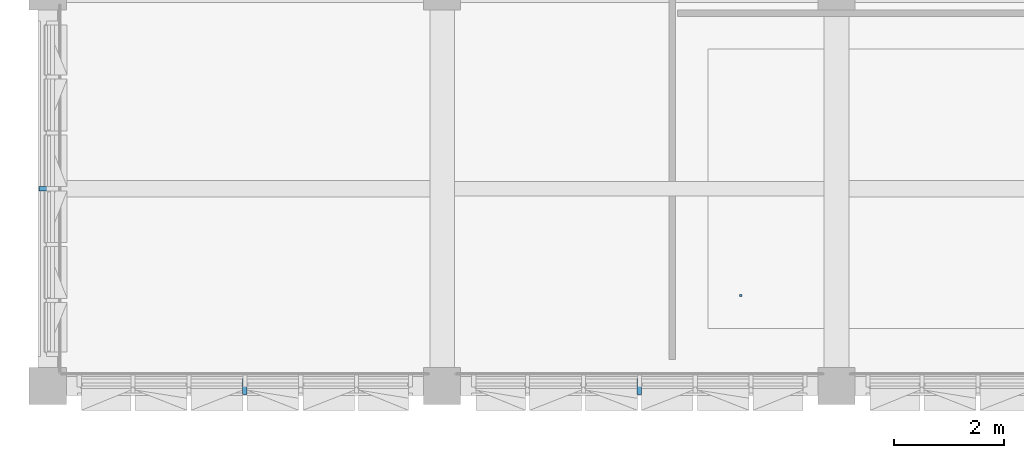
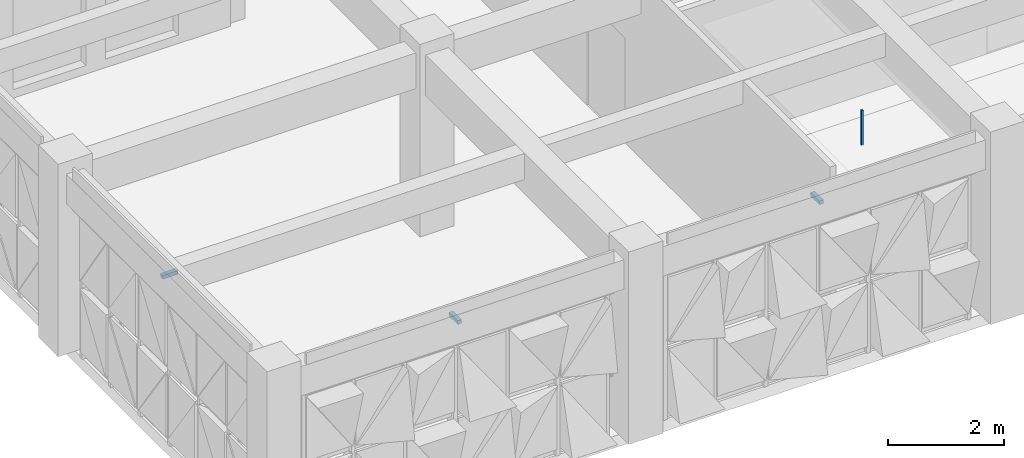
# One storey, part 55 of 88: 4 discrete accessories.
"""IFC4 building model written with IfcOpenShell, lengths in metres."""

from ifc_helpers import new_model, si_unit, direction, frame, origin, origin_2d, place, context, subcontext, project, spatial, rectangle, extrude, material, type_object, element, save


model = new_model("IFC4")

# Units and contexts
model_context = context("Model", 3, precision=1e-05, world=origin(), true_north=direction((0.0, 1.0)))
body_context = subcontext(model_context, "Body", "Model", "MODEL_VIEW")
ifc_project = project(units=[si_unit("LENGTHUNIT", "METRE"), si_unit("AREAUNIT", "SQUARE_METRE"), si_unit("VOLUMEUNIT", "CUBIC_METRE"), si_unit("PLANEANGLEUNIT", "RADIAN"), si_unit("MASSUNIT", "GRAM", prefix="KILO")], contexts=[model_context])

# Site, building, storey
site_placement = place(None, origin())
site = spatial("IfcSite", under=ifc_project, at=site_placement, CompositionType="ELEMENT")
building_placement = place(site_placement, origin())
building = spatial("IfcBuilding", under=site, at=building_placement, Name="Alvorim Cloister Faculty of Sciences", CompositionType="ELEMENT")
storey_placement = place(building_placement, frame((0.0, 0.0, 4.5)))
storey = spatial("IfcBuildingStorey", under=building, at=storey_placement, Name="L01", CompositionType="ELEMENT", Elevation=4.5)

# Discrete accessories
ifc_material_1 = material(Name="Galvanised Painted Steel", Category="steel")
discrete_accessory_type_1 = type_object("IfcDiscreteAccessoryType", Name="ACC-CEIL-ROD", PredefinedType="BRACKET", material=ifc_material_1)
discrete_accessory_placement = place(storey_placement, frame((12.64990234375, 1.64990234375, 3.080078125), z_axis=(0.0, 0.0, 1.0), x_axis=(1.0, 0.0, 0.0)))
element("IfcDiscreteAccessory", 1, at=discrete_accessory_placement, inside=storey, type_object=discrete_accessory_type_1, Name="Ceiling Suspension Bracket ACC-ROD-005", PredefinedType="BRACKET", context=body_context, shape_type="SweptSolid", body=[
    extrude(rectangle(XDim=0.0400390625, YDim=0.0400390625, at=origin_2d()), origin(), (0.0, 0.0, 1.0), 0.72998046875),
])
ifc_material_2 = material(Name="Aluminium Alloy 6063-T6", Category="aluminium")
discrete_accessory_type_2 = type_object("IfcDiscreteAccessoryType", Name="ACC-DIAG-BAR", PredefinedType="BRACKET", material=ifc_material_2)
for number, where, z_axis, x_axis, name in (
    (2, (10.800048828125, 0.139892578125, 3.610107421875), (0.0, -1.0, 0.0), (1.0, 0.0, 0.0), "Slab-Edge Fascia Tie Bracket ACC-00447"),
    (3, (3.60009765625, 0.139892578125, 3.610107421875), (0.0, -1.0, 0.0), (1.0, 0.0, 0.0), "Slab-Edge Fascia Tie Bracket ACC-00460"),
    (4, (0.139892578125, 3.60009765625, 3.610107421875), (-1.0, 0.0, 0.0), (0.0, -1.0, 0.0), "Slab-Edge Fascia Tie Bracket ACC-00473"),
):
    element("IfcDiscreteAccessory", number, at=place(storey_placement, frame(where, z_axis=z_axis, x_axis=x_axis)), inside=storey, type_object=discrete_accessory_type_2, Name=name, PredefinedType="BRACKET", context=body_context, shape_type="SweptSolid", body=[
        extrude(rectangle(XDim=0.080078125, YDim=0.080078125, at=origin_2d()), origin(), (0.0, 0.0, 1.0), 0.2998046875),
    ])

save(model, "model.ifc")
